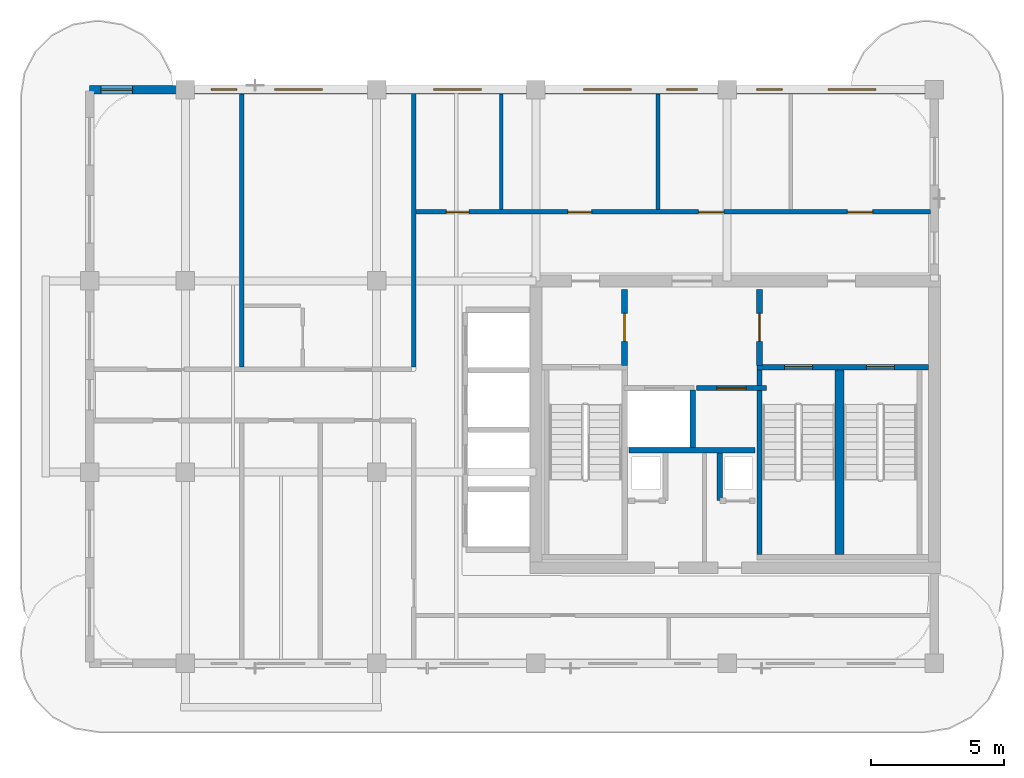
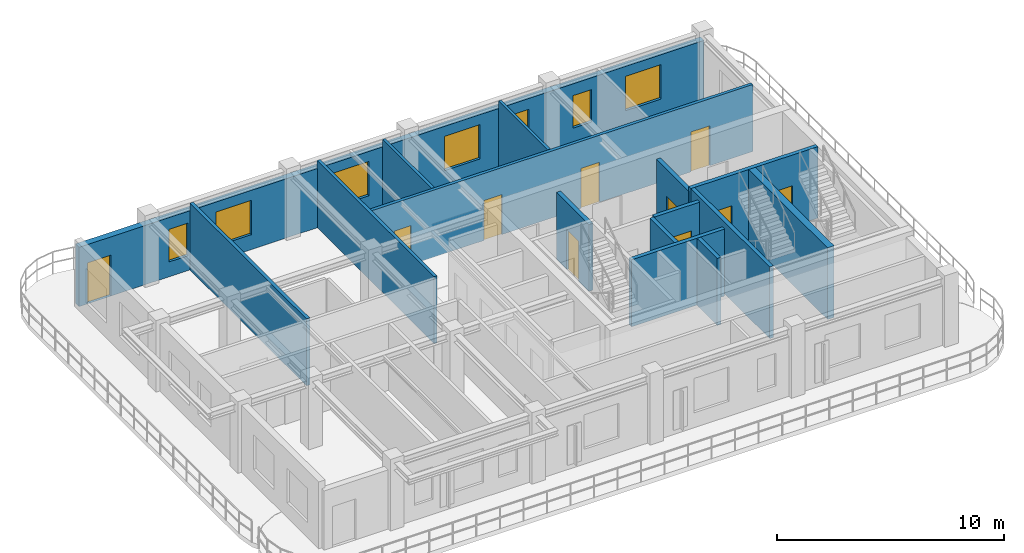
# One storey, part 4 of 8: 15 walls, 10 doors, 7 windows, 17 openings.
"""IFC4 building model written with IfcOpenShell, lengths in metres."""

from ifc_helpers import new_model, si_unit, derived_unit, direction, frame, frame_2d, origin, place, context, subcontext, project, spatial, rectangle, extrude, source, transform, mapped, material, layer, layer_set, type_object, type_shapes, element, fill, save


model = new_model("IFC4")

# Units and contexts
model_context = context("Model", 3, precision=1e-05, world=origin(), true_north=direction((0.0, 1.0)))
body_context = subcontext(model_context, "Body", "Model", "MODEL_VIEW")
ifc_project = project(units=[si_unit("LENGTHUNIT", "METRE"), si_unit("AREAUNIT", "SQUARE_METRE"), si_unit("VOLUMEUNIT", "CUBIC_METRE"), si_unit("PLANEANGLEUNIT", "RADIAN"), si_unit("MASSUNIT", "GRAM", prefix="KILO"), si_unit("THERMODYNAMICTEMPERATUREUNIT", "KELVIN"), si_unit("POWERUNIT", "WATT"), derived_unit("THERMALTRANSMITTANCEUNIT", [(si_unit("POWERUNIT", "WATT"), 1), (si_unit("AREAUNIT", "SQUARE_METRE"), -1), (si_unit("THERMODYNAMICTEMPERATUREUNIT", "KELVIN"), -1)])], contexts=[model_context])

# Site, building, storey
site_placement = place(None, origin())
site = spatial("IfcSite", under=ifc_project, at=site_placement, CompositionType="ELEMENT")
building_placement = place(site_placement, origin())
building = spatial("IfcBuilding", under=site, at=building_placement, Name="Zahravan Archway Hotel and Residences", CompositionType="ELEMENT")
storey_placement = place(building_placement, frame((0.0, 0.0, 286.60009765625)))
storey = spatial("IfcBuildingStorey", under=building, at=storey_placement, Name="L72", CompositionType="ELEMENT", Elevation=286.60009765625)

# Wall, openings, door, windows
ifc_material_1 = material(Name="Agra Buff Sandstone & Insulated Backup", Category="masonry")
ifc_layer_1 = layer(ifc_material_1, 0.320068359375, Name="Agra Buff Sandstone & Insulated Backup", Category="masonry")
ifc_layer_set_1 = layer_set([ifc_layer_1], Name="Agra Buff Sandstone & Insulated Backup")
wall_type_1 = type_object("IfcWallType", Name="EW-SAND-320", PredefinedType="SOLIDWALL", material=ifc_layer_set_1)
wall_1_placement = place(storey_placement, frame((18.0, 21.60009765625, 0.0), z_axis=(0.0, 0.0, 1.0), x_axis=(1.0, 0.0, 0.0)))
wall_1 = element("IfcWall", 1, at=wall_1_placement, inside=storey, type_object=wall_type_1, Name="L72 Exterior Sandstone Wall WA-N", PredefinedType="SOLIDWALL", context=body_context, shape_type="SweptSolid", body=[
    extrude(rectangle(XDim=31.800048828125, YDim=0.320068359375, at=frame_2d((15.89990234375, 0.0))), origin(), (0.0, 0.0, 1.0), 3.184814453125),
])
opening_1_placement = place(wall_1_placement, frame((0.419921875, 0.0, 0.0)))
opening_1 = element("IfcOpeningElement", 2, at=opening_1_placement, cuts=wall_1, Name="Opening ED-BL1", PredefinedType="OPENING", context=body_context, shape_type="SweptSolid", body=[
    extrude(rectangle(XDim=1.199951171875, YDim=2.199951171875, at=frame_2d((0.60009765625, 1.10009765625))), frame((0.0, 0.169921875, 0.0), z_axis=(0.0, -1.0, 0.0), x_axis=(1.0, 0.0, 0.0)), (0.0, 0.0, 1.0), 0.340087890625),
])
opening_2_placement = place(wall_1_placement, frame((4.5810546875, 0.0, 0.800048828125)))
opening_2 = element("IfcOpeningElement", 3, at=opening_2_placement, cuts=wall_1, Name="Opening W-04", PredefinedType="OPENING", context=body_context, shape_type="SweptSolid", body=[
    extrude(rectangle(XDim=0.949951171875, YDim=1.75, at=frame_2d((0.47509765625, 0.875))), frame((0.0, 0.169921875, 0.0), z_axis=(0.0, -1.0, 0.0), x_axis=(1.0, 0.0, 0.0)), (0.0, 0.0, 1.0), 0.340087890625),
])
opening_3_placement = place(wall_1_placement, frame((6.964111328125, 0.0, 0.800048828125)))
opening_3 = element("IfcOpeningElement", 4, at=opening_3_placement, cuts=wall_1, Name="Opening W-02", PredefinedType="OPENING", context=body_context, shape_type="SweptSolid", body=[
    extrude(rectangle(XDim=1.800048828125, YDim=1.85009765625, at=frame_2d((0.89990234375, 0.925048828125))), frame((0.0, 0.169921875, 0.0), z_axis=(0.0, -1.0, 0.0), x_axis=(1.0, 0.0, 0.0)), (0.0, 0.0, 1.0), 0.340087890625),
])
opening_4_placement = place(wall_1_placement, frame((12.949951171875, 0.0, 0.800048828125)))
opening_4 = element("IfcOpeningElement", 5, at=opening_4_placement, cuts=wall_1, Name="Opening W-02", PredefinedType="OPENING", context=body_context, shape_type="SweptSolid", body=[
    extrude(rectangle(XDim=1.800048828125, YDim=1.85009765625, at=frame_2d((0.89990234375, 0.925048828125))), frame((0.0, 0.169921875, 0.0), z_axis=(0.0, -1.0, 0.0), x_axis=(1.0, 0.0, 0.0)), (0.0, 0.0, 1.0), 0.340087890625),
])
opening_5_placement = place(wall_1_placement, frame((18.595947265625, 0.0, 0.800048828125)))
opening_5 = element("IfcOpeningElement", 6, at=opening_5_placement, cuts=wall_1, Name="Opening W-02", PredefinedType="OPENING", context=body_context, shape_type="SweptSolid", body=[
    extrude(rectangle(XDim=1.800048828125, YDim=1.85009765625, at=frame_2d((0.89990234375, 0.925048828125))), frame((0.0, 0.169921875, 0.0), z_axis=(0.0, -1.0, 0.0), x_axis=(1.0, 0.0, 0.0)), (0.0, 0.0, 1.0), 0.340087890625),
])
opening_6_placement = place(wall_1_placement, frame((21.72900390625, 0.0, 0.800048828125)))
opening_6 = element("IfcOpeningElement", 7, at=opening_6_placement, cuts=wall_1, Name="Opening W-05", PredefinedType="OPENING", context=body_context, shape_type="SweptSolid", body=[
    extrude(rectangle(XDim=1.14990234375, YDim=1.800048828125, at=frame_2d((0.574951171875, 0.89990234375))), frame((0.0, 0.169921875, 0.0), z_axis=(0.0, -1.0, 0.0), x_axis=(1.0, 0.0, 0.0)), (0.0, 0.0, 1.0), 0.340087890625),
])
opening_7_placement = place(wall_1_placement, frame((25.12109375, 0.0, 0.800048828125)))
opening_7 = element("IfcOpeningElement", 8, at=opening_7_placement, cuts=wall_1, Name="Opening W-04", PredefinedType="OPENING", context=body_context, shape_type="SweptSolid", body=[
    extrude(rectangle(XDim=0.949951171875, YDim=1.75, at=frame_2d((0.47509765625, 0.875))), frame((0.0, 0.169921875, 0.0), z_axis=(0.0, -1.0, 0.0), x_axis=(1.0, 0.0, 0.0)), (0.0, 0.0, 1.0), 0.340087890625),
])
opening_8_placement = place(wall_1_placement, frame((27.803955078125, 0.0, 0.800048828125)))
opening_8 = element("IfcOpeningElement", 9, at=opening_8_placement, cuts=wall_1, Name="Opening W-02", PredefinedType="OPENING", context=body_context, shape_type="SweptSolid", body=[
    extrude(rectangle(XDim=1.800048828125, YDim=1.85009765625, at=frame_2d((0.89990234375, 0.925048828125))), frame((0.0, 0.169921875, 0.0), z_axis=(0.0, -1.0, 0.0), x_axis=(1.0, 0.0, 0.0)), (0.0, 0.0, 1.0), 0.340087890625),
])
ifc_material_2 = material(Name="Bronze-Anodized Glazed Aluminium", Category="aluminium")
door_type_1 = type_object("IfcDoorType", Name="ED-BALC-1200", OperationType="SLIDING_TO_LEFT", PredefinedType="DOOR", material=ifc_material_2)
shared_shape_1 = source(origin(), body_context, "Body", "SweptSolid", [
    extrude(rectangle(XDim=1.199951171875, YDim=2.199951171875, at=frame_2d((0.60009765625, 1.10009765625))), frame((0.0, 0.02490234375, 0.0), z_axis=(0.0, -1.0, 0.0), x_axis=(1.0, 0.0, 0.0)), (0.0, 0.0, 1.0), 0.050048828125),
])
type_shapes(door_type_1, [shared_shape_1])
door_1_placement = place(opening_1_placement, origin())
door_1 = element("IfcDoor", 10, at=door_1_placement, inside=storey, type_object=door_type_1, Name="L72 Outdoor Access Sliding Door (SLB-BAL-L72-WA)", OperationType="SLIDING_TO_LEFT", OverallHeight=2.199951171875, OverallWidth=1.199951171875, PredefinedType="DOOR", context=body_context, shape_type="MappedRepresentation", body=[
    mapped(shared_shape_1, transform((0.0, 0.0, 0.0), scale=1.0)),
])
fill(opening_1, door_1)
ifc_material_3 = material(Name="Bronze-Anodized Thermal-Break Aluminium & Low-E Glass", Category="aluminium")
window_type_1 = type_object("IfcWindowType", Name="WIN-NAR-950", PartitioningType="SINGLE_PANEL", PredefinedType="WINDOW", material=ifc_material_3)
shared_shape_2 = source(origin(), body_context, "Body", "SweptSolid", [
    extrude(rectangle(XDim=0.949951171875, YDim=1.75, at=frame_2d((0.47509765625, 0.875))), frame((0.0, 0.030029296875, 0.0), z_axis=(0.0, -1.0, 0.0), x_axis=(1.0, 0.0, 0.0)), (0.0, 0.0, 1.0), 0.06005859375),
])
type_shapes(window_type_1, [shared_shape_2])
window_1_placement = place(opening_2_placement, origin())
window_1 = element("IfcWindow", 11, at=window_1_placement, inside=storey, type_object=window_type_1, Name="L72 Loggia Window 10", OverallHeight=1.75, OverallWidth=0.949951171875, PartitioningType="SINGLE_PANEL", PredefinedType="WINDOW", context=body_context, shape_type="MappedRepresentation", body=[
    mapped(shared_shape_2, transform((0.0, 0.0, 0.0), scale=1.0)),
])
fill(opening_2, window_1)
window_2_placement = place(opening_7_placement, origin())
window_2 = element("IfcWindow", 12, at=window_2_placement, inside=storey, type_object=window_type_1, Name="L72 Loggia Window 15", OverallHeight=1.75, OverallWidth=0.949951171875, PartitioningType="SINGLE_PANEL", PredefinedType="WINDOW", context=body_context, shape_type="MappedRepresentation", body=[
    mapped(shared_shape_2, transform((0.0, 0.0, 0.0), scale=1.0)),
])
fill(opening_7, window_2)
window_type_2 = type_object("IfcWindowType", Name="WIN-TWR-1800", PartitioningType="DOUBLE_PANEL_VERTICAL", PredefinedType="WINDOW", material=ifc_material_3)
shared_shape_3 = source(origin(), body_context, "Body", "SweptSolid", [
    extrude(rectangle(XDim=1.800048828125, YDim=1.85009765625, at=frame_2d((0.89990234375, 0.925048828125))), frame((0.0, 0.030029296875, 0.0), z_axis=(0.0, -1.0, 0.0), x_axis=(1.0, 0.0, 0.0)), (0.0, 0.0, 1.0), 0.06005859375),
])
type_shapes(window_type_2, [shared_shape_3])
window_3_placement = place(opening_3_placement, origin())
window_3 = element("IfcWindow", 13, at=window_3_placement, inside=storey, type_object=window_type_2, Name="L72 Loggia Window 11", OverallHeight=1.85009765625, OverallWidth=1.800048828125, PartitioningType="DOUBLE_PANEL_VERTICAL", PredefinedType="WINDOW", context=body_context, shape_type="MappedRepresentation", body=[
    mapped(shared_shape_3, transform((0.0, 0.0, 0.0), scale=1.0)),
])
fill(opening_3, window_3)
window_4_placement = place(opening_4_placement, origin())
window_4 = element("IfcWindow", 14, at=window_4_placement, inside=storey, type_object=window_type_2, Name="L72 Loggia Window 12", OverallHeight=1.85009765625, OverallWidth=1.800048828125, PartitioningType="DOUBLE_PANEL_VERTICAL", PredefinedType="WINDOW", context=body_context, shape_type="MappedRepresentation", body=[
    mapped(shared_shape_3, transform((0.0, 0.0, 0.0), scale=1.0)),
])
fill(opening_4, window_4)
window_5_placement = place(opening_5_placement, origin())
window_5 = element("IfcWindow", 15, at=window_5_placement, inside=storey, type_object=window_type_2, Name="L72 Loggia Window 13", OverallHeight=1.85009765625, OverallWidth=1.800048828125, PartitioningType="DOUBLE_PANEL_VERTICAL", PredefinedType="WINDOW", context=body_context, shape_type="MappedRepresentation", body=[
    mapped(shared_shape_3, transform((0.0, 0.0, 0.0), scale=1.0)),
])
fill(opening_5, window_5)
window_6_placement = place(opening_8_placement, origin())
window_6 = element("IfcWindow", 16, at=window_6_placement, inside=storey, type_object=window_type_2, Name="L72 Loggia Window 16", OverallHeight=1.85009765625, OverallWidth=1.800048828125, PartitioningType="DOUBLE_PANEL_VERTICAL", PredefinedType="WINDOW", context=body_context, shape_type="MappedRepresentation", body=[
    mapped(shared_shape_3, transform((0.0, 0.0, 0.0), scale=1.0)),
])
fill(opening_8, window_6)
window_type_3 = type_object("IfcWindowType", Name="WIN-TWR-1150", PartitioningType="SINGLE_PANEL", PredefinedType="WINDOW", material=ifc_material_3)
shared_shape_4 = source(origin(), body_context, "Body", "SweptSolid", [
    extrude(rectangle(XDim=1.14990234375, YDim=1.800048828125, at=frame_2d((0.574951171875, 0.89990234375))), frame((0.0, 0.030029296875, 0.0), z_axis=(0.0, -1.0, 0.0), x_axis=(1.0, 0.0, 0.0)), (0.0, 0.0, 1.0), 0.06005859375),
])
type_shapes(window_type_3, [shared_shape_4])
window_7_placement = place(opening_6_placement, origin())
window_7 = element("IfcWindow", 17, at=window_7_placement, inside=storey, type_object=window_type_3, Name="L72 Loggia Window 14", OverallHeight=1.800048828125, OverallWidth=1.14990234375, PartitioningType="SINGLE_PANEL", PredefinedType="WINDOW", context=body_context, shape_type="MappedRepresentation", body=[
    mapped(shared_shape_4, transform((0.0, 0.0, 0.0), scale=1.0)),
])
fill(opening_6, window_7)

# Wall, opening, door
ifc_material_4 = material(Name="Fire-Rated Gypsum & Concrete Block", Category="concrete")
ifc_layer_2 = layer(ifc_material_4, 0.219970703125, Name="Fire-Rated Gypsum & Concrete Block", Category="concrete")
ifc_layer_set_2 = layer_set([ifc_layer_2], Name="Fire-Rated Gypsum & Concrete Block")
wall_type_2 = type_object("IfcWallType", Name="PW-COMP-220", PredefinedType="PARTITIONING", material=ifc_layer_set_2)
wall_2_placement = place(storey_placement, frame((38.139892578125, 11.219970703125, 0.0), z_axis=(0.0, 0.0, 1.0), x_axis=(0.0, 1.0, 0.0)))
wall_2 = element("IfcWall", 18, at=wall_2_placement, inside=storey, type_object=wall_type_2, Name="L72 Partition CA-LOBW", PredefinedType="PARTITIONING", context=body_context, shape_type="SweptSolid", body=[
    extrude(rectangle(XDim=2.860107421875, YDim=0.219970703125, at=frame_2d((1.43017578125, 0.0))), origin(), (0.0, 0.0, 1.0), 3.599853515625),
])
opening_9_placement = place(wall_2_placement, frame((0.905029296875, 0.0, 0.0)))
opening_9 = element("IfcOpeningElement", 19, at=opening_9_placement, cuts=wall_2, Name="Opening FD-L2", PredefinedType="OPENING", context=body_context, shape_type="SweptSolid", body=[
    extrude(rectangle(XDim=1.050048828125, YDim=2.14990234375, at=frame_2d((0.52490234375, 1.074951171875))), frame((0.0, 0.1201171875, 0.0), z_axis=(0.0, -1.0, 0.0), x_axis=(1.0, 0.0, 0.0)), (0.0, 0.0, 1.0), 0.239990234375),
])
ifc_material_5 = material(Name="Fire-Rated Painted Steel", Category="steel")
door_type_2 = type_object("IfcDoorType", Name="FD-LOBBY-1100", OperationType="NOTDEFINED", PredefinedType="DOOR", material=ifc_material_5)
shared_shape_5 = source(origin(), body_context, "Body", "SweptSolid", [
    extrude(rectangle(XDim=1.050048828125, YDim=2.14990234375, at=frame_2d((0.52490234375, 1.074951171875))), frame((0.0, 0.02490234375, 0.0), z_axis=(0.0, -1.0, 0.0), x_axis=(1.0, 0.0, 0.0)), (0.0, 0.0, 1.0), 0.050048828125),
])
type_shapes(door_type_2, [shared_shape_5])
door_2_placement = place(opening_9_placement, origin())
door_2 = element("IfcDoor", 20, at=door_2_placement, inside=storey, type_object=door_type_2, Name="L72 Core A West Stair to FSAE Lobby Door", OperationType="SINGLE_SWING_LEFT", OverallHeight=2.14990234375, OverallWidth=1.050048828125, PredefinedType="DOOR", context=body_context, shape_type="MappedRepresentation", body=[
    mapped(shared_shape_5, transform((0.0, 0.0, 0.0), scale=1.0)),
])
fill(opening_9, door_2)

wall_3_placement = place(storey_placement, frame((43.219970703125, 11.219970703125, 0.0), z_axis=(0.0, 0.0, 1.0), x_axis=(0.0, 1.0, 0.0)))
wall_3 = element("IfcWall", 21, at=wall_3_placement, inside=storey, type_object=wall_type_2, Name="L72 Partition CA-LOBE", PredefinedType="PARTITIONING", context=body_context, shape_type="SweptSolid", body=[
    extrude(rectangle(XDim=2.860107421875, YDim=0.219970703125, at=frame_2d((1.43017578125, 0.0))), origin(), (0.0, 0.0, 1.0), 3.599853515625),
])
opening_10_placement = place(wall_3_placement, frame((0.905029296875, 0.0, 0.0)))
opening_10 = element("IfcOpeningElement", 22, at=opening_10_placement, cuts=wall_3, Name="Opening FD-L2", PredefinedType="OPENING", context=body_context, shape_type="SweptSolid", body=[
    extrude(rectangle(XDim=1.050048828125, YDim=2.14990234375, at=frame_2d((0.52490234375, 1.074951171875))), frame((0.0, 0.1201171875, 0.0), z_axis=(0.0, -1.0, 0.0), x_axis=(1.0, 0.0, 0.0)), (0.0, 0.0, 1.0), 0.239990234375),
])
door_3_placement = place(opening_10_placement, origin())
door_3 = element("IfcDoor", 23, at=door_3_placement, inside=storey, type_object=door_type_2, Name="L72 Core A East Stair to FSAE Lobby Door", OperationType="SINGLE_SWING_RIGHT", OverallHeight=2.14990234375, OverallWidth=1.050048828125, PredefinedType="DOOR", context=body_context, shape_type="MappedRepresentation", body=[
    mapped(shared_shape_5, transform((0.0, 0.0, 0.0), scale=1.0)),
])
fill(opening_10, door_3)

# Wall
ifc_layer_3 = layer(ifc_material_4, 0.159912109375, Name="Fire-Rated Gypsum & Concrete Block", Category="concrete")
ifc_layer_set_3 = layer_set([ifc_layer_3], Name="Fire-Rated Gypsum & Concrete Block")
wall_type_3 = type_object("IfcWallType", Name="PW-CORR-160", PredefinedType="PARTITIONING", material=ifc_layer_set_3)
wall_4_placement = place(storey_placement, frame((30.199951171875, 11.159912109375, 0.0), z_axis=(0.0, 0.0, 1.0), x_axis=(0.0, 1.0, 0.0)))
element("IfcWall", 24, at=wall_4_placement, inside=storey, type_object=wall_type_3, Name="L72 Partition WA-FW", PredefinedType="PARTITIONING", context=body_context, shape_type="SweptSolid", body=[
    extrude(rectangle(XDim=10.300048828125, YDim=0.159912109375, at=frame_2d((5.14990234375, 0.0))), origin(), (0.0, 0.0, 1.0), 3.599853515625),
])

# Wall, openings, doors
wall_5_placement = place(storey_placement, frame((30.2900390625, 17.0, 0.0), z_axis=(0.0, 0.0, 1.0), x_axis=(1.0, 0.0, 0.0)))
wall_5 = element("IfcWall", 25, at=wall_5_placement, inside=storey, type_object=wall_type_3, Name="L72 Partition WA-FN", PredefinedType="PARTITIONING", context=body_context, shape_type="SweptSolid", body=[
    extrude(rectangle(XDim=19.369873046875, YDim=0.159912109375, at=frame_2d((9.68505859375, 0.0))), origin(), (0.0, 0.0, 1.0), 3.599853515625),
])
opening_11_placement = place(wall_5_placement, frame((1.135009765625, 0.0, 0.0)))
opening_11 = element("IfcOpeningElement", 26, at=opening_11_placement, cuts=wall_5, Name="Opening D-B1", PredefinedType="OPENING", context=body_context, shape_type="SweptSolid", body=[
    extrude(rectangle(XDim=0.85009765625, YDim=2.10009765625, at=frame_2d((0.425048828125, 1.050048828125))), frame((0.0, 0.08984375, 0.0), z_axis=(0.0, -1.0, 0.0), x_axis=(1.0, 0.0, 0.0)), (0.0, 0.0, 1.0), 0.179931640625),
])
opening_12_placement = place(wall_5_placement, frame((5.7099609375, 0.0, 0.0)))
opening_12 = element("IfcOpeningElement", 27, at=opening_12_placement, cuts=wall_5, Name="Opening D-I2", PredefinedType="OPENING", context=body_context, shape_type="SweptSolid", body=[
    extrude(rectangle(XDim=0.89990234375, YDim=2.14990234375, at=frame_2d((0.449951171875, 1.074951171875))), frame((0.0, 0.08984375, 0.0), z_axis=(0.0, -1.0, 0.0), x_axis=(1.0, 0.0, 0.0)), (0.0, 0.0, 1.0), 0.179931640625),
])
opening_13_placement = place(wall_5_placement, frame((10.635009765625, 0.0, 0.0)))
opening_13 = element("IfcOpeningElement", 28, at=opening_13_placement, cuts=wall_5, Name="Opening D-I1", PredefinedType="OPENING", context=body_context, shape_type="SweptSolid", body=[
    extrude(rectangle(XDim=0.949951171875, YDim=2.14990234375, at=frame_2d((0.47509765625, 1.074951171875))), frame((0.0, 0.08984375, 0.0), z_axis=(0.0, -1.0, 0.0), x_axis=(1.0, 0.0, 0.0)), (0.0, 0.0, 1.0), 0.179931640625),
])
opening_14_placement = place(wall_5_placement, frame((16.235107421875, 0.0, 0.0)))
opening_14 = element("IfcOpeningElement", 29, at=opening_14_placement, cuts=wall_5, Name="Opening D-I1", PredefinedType="OPENING", context=body_context, shape_type="SweptSolid", body=[
    extrude(rectangle(XDim=0.949951171875, YDim=2.14990234375, at=frame_2d((0.47509765625, 1.074951171875))), frame((0.0, 0.08984375, 0.0), z_axis=(0.0, -1.0, 0.0), x_axis=(1.0, 0.0, 0.0)), (0.0, 0.0, 1.0), 0.179931640625),
])
ifc_material_6 = material(Name="Hardwood Veneer Timber", Category="wood")
door_type_3 = type_object("IfcDoorType", Name="ID-BATH-850", OperationType="NOTDEFINED", PredefinedType="DOOR", material=ifc_material_6)
shared_shape_6 = source(origin(), body_context, "Body", "SweptSolid", [
    extrude(rectangle(XDim=0.85009765625, YDim=2.10009765625, at=frame_2d((0.425048828125, 1.050048828125))), frame((0.0, 0.02490234375, 0.0), z_axis=(0.0, -1.0, 0.0), x_axis=(1.0, 0.0, 0.0)), (0.0, 0.0, 1.0), 0.050048828125),
])
type_shapes(door_type_3, [shared_shape_6])
door_4_placement = place(opening_11_placement, origin())
door_4 = element("IfcDoor", 30, at=door_4_placement, inside=storey, type_object=door_type_3, Name="L72 Accessible WC Door", OperationType="SINGLE_SWING_RIGHT", OverallHeight=2.10009765625, OverallWidth=0.85009765625, PredefinedType="DOOR", context=body_context, shape_type="MappedRepresentation", body=[
    mapped(shared_shape_6, transform((0.0, 0.0, 0.0), scale=1.0)),
])
fill(opening_11, door_4)
door_type_4 = type_object("IfcDoorType", Name="ID-INT-950", OperationType="NOTDEFINED", PredefinedType="DOOR", material=ifc_material_6)
shared_shape_7 = source(origin(), body_context, "Body", "SweptSolid", [
    extrude(rectangle(XDim=0.949951171875, YDim=2.14990234375, at=frame_2d((0.47509765625, 1.074951171875))), frame((0.0, 0.02490234375, 0.0), z_axis=(0.0, -1.0, 0.0), x_axis=(1.0, 0.0, 0.0)), (0.0, 0.0, 1.0), 0.050048828125),
])
type_shapes(door_type_4, [shared_shape_7])
door_5_placement = place(opening_13_placement, origin())
door_5 = element("IfcDoor", 31, at=door_5_placement, inside=storey, type_object=door_type_4, Name="L72 Boardroom Door", OperationType="SINGLE_SWING_RIGHT", OverallHeight=2.14990234375, OverallWidth=0.949951171875, PredefinedType="DOOR", context=body_context, shape_type="MappedRepresentation", body=[
    mapped(shared_shape_7, transform((0.0, 0.0, 0.0), scale=1.0)),
])
fill(opening_13, door_5)
door_6_placement = place(opening_14_placement, origin())
door_6 = element("IfcDoor", 32, at=door_6_placement, inside=storey, type_object=door_type_4, Name="L72 Therapy Clinic Door", OperationType="SINGLE_SWING_LEFT", OverallHeight=2.14990234375, OverallWidth=0.949951171875, PredefinedType="DOOR", context=body_context, shape_type="MappedRepresentation", body=[
    mapped(shared_shape_7, transform((0.0, 0.0, 0.0), scale=1.0)),
])
fill(opening_14, door_6)
door_type_5 = type_object("IfcDoorType", Name="ID-INT-900", OperationType="NOTDEFINED", PredefinedType="DOOR", material=ifc_material_6)
shared_shape_8 = source(origin(), body_context, "Body", "SweptSolid", [
    extrude(rectangle(XDim=0.89990234375, YDim=2.14990234375, at=frame_2d((0.449951171875, 1.074951171875))), frame((0.0, 0.02490234375, 0.0), z_axis=(0.0, -1.0, 0.0), x_axis=(1.0, 0.0, 0.0)), (0.0, 0.0, 1.0), 0.050048828125),
])
type_shapes(door_type_5, [shared_shape_8])
door_7_placement = place(opening_12_placement, origin())
door_7 = element("IfcDoor", 33, at=door_7_placement, inside=storey, type_object=door_type_5, Name="L72 Pantry Door", OperationType="SINGLE_SWING_LEFT", OverallHeight=2.14990234375, OverallWidth=0.89990234375, PredefinedType="DOOR", context=body_context, shape_type="MappedRepresentation", body=[
    mapped(shared_shape_8, transform((0.0, 0.0, 0.0), scale=1.0)),
])
fill(opening_12, door_7)

# Walls
ifc_layer_4 = layer(ifc_material_4, 0.199951171875, Name="Fire-Rated Gypsum & Concrete Block", Category="concrete")
ifc_layer_set_4 = layer_set([ifc_layer_4], Name="Fire-Rated Gypsum & Concrete Block")
wall_type_4 = type_object("IfcWallType", Name="PW-SHAFT-200", PredefinedType="PARTITIONING", material=ifc_layer_set_4)
wall_6_placement = place(storey_placement, frame((38.300048828125, 8.030029296875, 0.0), z_axis=(0.0, 0.0, 1.0), x_axis=(1.0, 0.0, 0.0)))
element("IfcWall", 34, at=wall_6_placement, inside=storey, type_object=wall_type_4, Name="L72 Partition CA-FLS", PredefinedType="PARTITIONING", context=body_context, shape_type="SweptSolid", body=[
    extrude(rectangle(XDim=4.739990234375, YDim=0.199951171875, at=frame_2d((2.3701171875, 0.0))), origin(), (0.0, 0.0, 1.0), 3.599853515625),
])
wall_7_placement = place(storey_placement, frame((40.699951171875, 8.1201171875, 0.0), z_axis=(0.0, 0.0, 1.0), x_axis=(0.0, 1.0, 0.0)))
element("IfcWall", 35, at=wall_7_placement, inside=storey, type_object=wall_type_4, Name="L72 Partition CA-FLM", PredefinedType="PARTITIONING", context=body_context, shape_type="SweptSolid", body=[
    extrude(rectangle(XDim=2.179931640625, YDim=0.199951171875, at=frame_2d((1.08984375, 0.0))), origin(), (0.0, 0.0, 1.0), 3.599853515625),
])
wall_8_placement = place(storey_placement, frame((41.719970703125, 6.1298828125, 0.0), z_axis=(0.0, 0.0, 1.0), x_axis=(0.0, 1.0, 0.0)))
element("IfcWall", 36, at=wall_8_placement, inside=storey, type_object=wall_type_4, Name="L72 Partition CA-MEPW", PredefinedType="PARTITIONING", context=body_context, shape_type="SweptSolid", body=[
    extrude(rectangle(XDim=1.7900390625, YDim=0.199951171875, at=frame_2d((0.89501953125, 0.0))), origin(), (0.0, 0.0, 1.0), 3.599853515625),
])

# Wall, opening, door
wall_9_placement = place(storey_placement, frame((40.840087890625, 10.3701171875, 0.0), z_axis=(0.0, 0.0, 1.0), x_axis=(1.0, 0.0, 0.0)))
wall_9 = element("IfcWall", 37, at=wall_9_placement, inside=storey, type_object=wall_type_4, Name="L72 Lift FL-2 Front Wall", PredefinedType="PARTITIONING", context=body_context, shape_type="SweptSolid", body=[
    extrude(rectangle(XDim=2.639892578125, YDim=0.199951171875, at=frame_2d((1.31982421875, 0.0))), origin(), (0.0, 0.0, 1.0), 3.599853515625),
])
opening_15_placement = place(wall_9_placement, frame((0.77001953125, 0.0, 0.0)))
opening_15 = element("IfcOpeningElement", 38, at=opening_15_placement, cuts=wall_9, Name="Opening LD", PredefinedType="OPENING", context=body_context, shape_type="SweptSolid", body=[
    extrude(rectangle(XDim=1.10009765625, YDim=2.199951171875, at=frame_2d((0.550048828125, 1.10009765625))), frame((0.0, 0.10986328125, 0.0), z_axis=(0.0, -1.0, 0.0), x_axis=(1.0, 0.0, 0.0)), (0.0, 0.0, 1.0), 0.219970703125),
])
ifc_material_7 = material(Name="Brushed Stainless Steel", Category="steel")
door_type_6 = type_object("IfcDoorType", Name="DR-LIFT-LD", OperationType="SLIDING_TO_LEFT", PredefinedType="DOOR", material=ifc_material_7)
shared_shape_9 = source(origin(), body_context, "Body", "SweptSolid", [
    extrude(rectangle(XDim=1.10009765625, YDim=2.199951171875, at=frame_2d((0.550048828125, 1.10009765625))), frame((0.0, 0.02490234375, 0.0), z_axis=(0.0, -1.0, 0.0), x_axis=(1.0, 0.0, 0.0)), (0.0, 0.0, 1.0), 0.050048828125),
])
type_shapes(door_type_6, [shared_shape_9])
door_8_placement = place(opening_15_placement, origin())
door_8 = element("IfcDoor", 39, at=door_8_placement, inside=storey, type_object=door_type_6, Name="L72 Lift FL-2 Sliding Landing Door", OperationType="SLIDING_TO_LEFT", OverallHeight=2.199951171875, OverallWidth=1.10009765625, PredefinedType="DOOR", context=body_context, shape_type="MappedRepresentation", body=[
    mapped(shared_shape_9, transform((0.0, 0.0, 0.0), scale=1.0)),
])
fill(opening_15, door_8)

# Walls
ifc_material_8 = material(Name="Acoustic Stud Partition")
ifc_layer_5 = layer(ifc_material_8, 0.169921875, Name="Acoustic Stud Partition")
ifc_layer_set_5 = layer_set([ifc_layer_5], Name="Acoustic Stud Partition")
wall_type_5 = type_object("IfcWallType", Name="PW-UNIT-170", PredefinedType="PARTITIONING", material=ifc_layer_set_5)
wall_10_placement = place(storey_placement, frame((23.719970703125, 11.159912109375, 0.0), z_axis=(0.0, 0.0, 1.0), x_axis=(0.0, 1.0, 0.0)))
element("IfcWall", 40, at=wall_10_placement, inside=storey, type_object=wall_type_5, Name="L72 Partition WAN-SBK4", PredefinedType="PARTITIONING", context=body_context, shape_type="SweptSolid", body=[
    extrude(rectangle(XDim=10.27197265625, YDim=0.169921875, at=frame_2d((5.135986328125, 0.0))), origin(), (0.0, 0.0, 1.0), 3.599853515625),
])
ifc_material_9 = material(Name="Moisture-Resistant Blockwork", Category="masonry")
ifc_layer_6 = layer(ifc_material_9, 0.139892578125, Name="Moisture-Resistant Blockwork", Category="masonry")
ifc_layer_set_6 = layer_set([ifc_layer_6], Name="Moisture-Resistant Blockwork")
wall_type_6 = type_object("IfcWallType", Name="PW-WET-140", PredefinedType="PARTITIONING", material=ifc_layer_set_6)
for number, where, z_axis, x_axis, name in (
    (41, (33.5, 17.090087890625, 0.0), (0.0, 0.0, 1.0), (0.0, 1.0, 0.0), "L72 Partition NE2-1"),
    (42, (39.39990234375, 17.090087890625, 0.0), (0.0, 0.0, 1.0), (0.0, 1.0, 0.0), "L72 Partition NE2-2"),
):
    element("IfcWall", number, at=place(storey_placement, frame(where, z_axis=z_axis, x_axis=x_axis)), inside=storey, type_object=wall_type_6, Name=name, PredefinedType="PARTITIONING", context=body_context, shape_type="SweptSolid", body=[
        extrude(rectangle(XDim=4.341796875, YDim=0.139892578125, at=frame_2d((2.1708984375, 0.0))), origin(), (0.0, 0.0, 1.0), 3.599853515625),
    ])
ifc_material_10 = material(Name="Concrete C50/60", Category="concrete")
ifc_layer_7 = layer(ifc_material_10, 0.199951171875, Name="Concrete C50/60", Category="concrete")
ifc_layer_set_7 = layer_set([ifc_layer_7], Name="Concrete C50/60")
wall_type_7 = type_object("IfcWallType", Name="SW-STAIR-200", PredefinedType="SHEAR", material=ifc_layer_set_7)
wall_11_placement = place(storey_placement, frame((43.219970703125, 4.10009765625, 0.0), z_axis=(0.0, 0.0, 1.0), x_axis=(0.0, 1.0, 0.0)))
element("IfcWall", 43, at=wall_11_placement, inside=storey, type_object=wall_type_7, Name="L72 Stairwell RC Wall CA-SA2W", PredefinedType="SHEAR", context=body_context, shape_type="SweptSolid", body=[
    extrude(rectangle(XDim=6.949951171875, YDim=0.199951171875, at=frame_2d((3.47509765625, 0.0))), origin(), (0.0, 0.0, 1.0), 3.849853515625),
])

# Wall, openings, doors
wall_12_placement = place(storey_placement, frame((43.1201171875, 11.14990234375, 0.0), z_axis=(0.0, 0.0, 1.0), x_axis=(1.0, 0.0, 0.0)))
wall_12 = element("IfcWall", 44, at=wall_12_placement, inside=storey, type_object=wall_type_7, Name="L72 Stairwell RC Wall CA-SA23N", PredefinedType="SHEAR", context=body_context, shape_type="SweptSolid", body=[
    extrude(rectangle(XDim=6.454833984375, YDim=0.199951171875, at=frame_2d((3.2275390625, 0.0))), origin(), (0.0, 0.0, 1.0), 3.849853515625),
])
opening_16_placement = place(wall_12_placement, frame((1.044921875, 0.0, 0.0)))
opening_16 = element("IfcOpeningElement", 45, at=opening_16_placement, cuts=wall_12, Name="Opening FD-S1", PredefinedType="OPENING", context=body_context, shape_type="SweptSolid", body=[
    extrude(rectangle(XDim=1.050048828125, YDim=2.199951171875, at=frame_2d((0.52490234375, 1.10009765625))), frame((0.0, 0.10986328125, 0.0), z_axis=(0.0, -1.0, 0.0), x_axis=(1.0, 0.0, 0.0)), (0.0, 0.0, 1.0), 0.219970703125),
])
opening_17_placement = place(wall_12_placement, frame((4.125, 0.0, 0.0)))
opening_17 = element("IfcOpeningElement", 46, at=opening_17_placement, cuts=wall_12, Name="Opening FD-S1", PredefinedType="OPENING", context=body_context, shape_type="SweptSolid", body=[
    extrude(rectangle(XDim=1.050048828125, YDim=2.199951171875, at=frame_2d((0.52490234375, 1.10009765625))), frame((0.0, 0.10986328125, 0.0), z_axis=(0.0, -1.0, 0.0), x_axis=(1.0, 0.0, 0.0)), (0.0, 0.0, 1.0), 0.219970703125),
])
door_type_7 = type_object("IfcDoorType", Name="FD-STAIR-1100", OperationType="NOTDEFINED", PredefinedType="DOOR", material=ifc_material_5)
shared_shape_10 = source(origin(), body_context, "Body", "SweptSolid", [
    extrude(rectangle(XDim=1.050048828125, YDim=2.199951171875, at=frame_2d((0.52490234375, 1.10009765625))), frame((0.0, 0.02490234375, 0.0), z_axis=(0.0, -1.0, 0.0), x_axis=(1.0, 0.0, 0.0)), (0.0, 0.0, 1.0), 0.050048828125),
])
type_shapes(door_type_7, [shared_shape_10])
door_9_placement = place(opening_16_placement, origin())
door_9 = element("IfcDoor", 47, at=door_9_placement, inside=storey, type_object=door_type_7, Name="L72 Stair ST-A2 Door", OperationType="SINGLE_SWING_LEFT", OverallHeight=2.199951171875, OverallWidth=1.050048828125, PredefinedType="DOOR", context=body_context, shape_type="MappedRepresentation", body=[
    mapped(shared_shape_10, transform((0.0, 0.0, 0.0), scale=1.0)),
])
fill(opening_16, door_9)
door_10_placement = place(opening_17_placement, origin())
door_10 = element("IfcDoor", 48, at=door_10_placement, inside=storey, type_object=door_type_7, Name="L72 Stair ST-A3 Door", OperationType="SINGLE_SWING_RIGHT", OverallHeight=2.199951171875, OverallWidth=1.050048828125, PredefinedType="DOOR", context=body_context, shape_type="MappedRepresentation", body=[
    mapped(shared_shape_10, transform((0.0, 0.0, 0.0), scale=1.0)),
])
fill(opening_17, door_10)

# Wall
ifc_layer_8 = layer(ifc_material_10, 0.340087890625, Name="Concrete C50/60", Category="concrete")
ifc_layer_set_8 = layer_set([ifc_layer_8], Name="Concrete C50/60")
wall_type_8 = type_object("IfcWallType", Name="SW-STAIR-340", PredefinedType="SHEAR", material=ifc_layer_set_8)
wall_13_placement = place(storey_placement, frame((46.22998046875, 4.10009765625, 0.0), z_axis=(0.0, 0.0, 1.0), x_axis=(0.0, 1.0, 0.0)))
element("IfcWall", 49, at=wall_13_placement, inside=storey, type_object=wall_type_8, Name="L72 Stairwell RC Wall CA-SA23M", PredefinedType="SHEAR", context=body_context, shape_type="SweptSolid", body=[
    extrude(rectangle(XDim=6.949951171875, YDim=0.340087890625, at=frame_2d((3.47509765625, 0.0))), origin(), (0.0, 0.0, 1.0), 3.849853515625),
])

save(model, "model.ifc")
